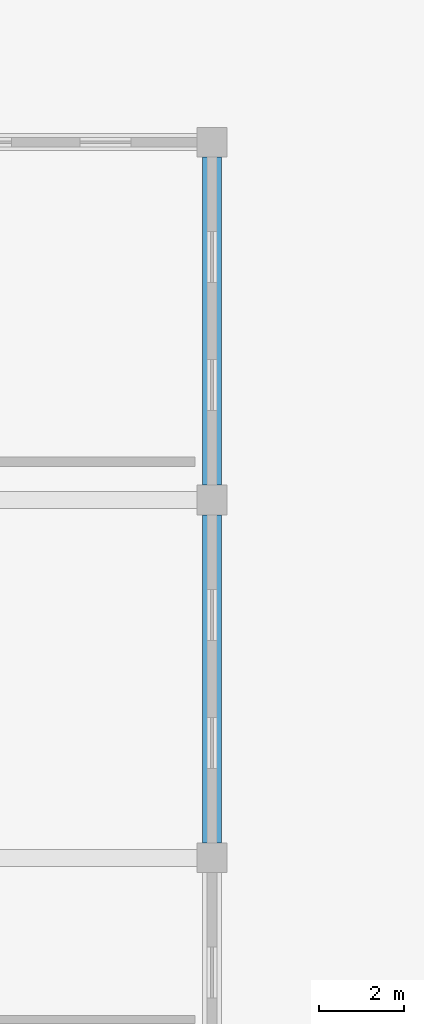
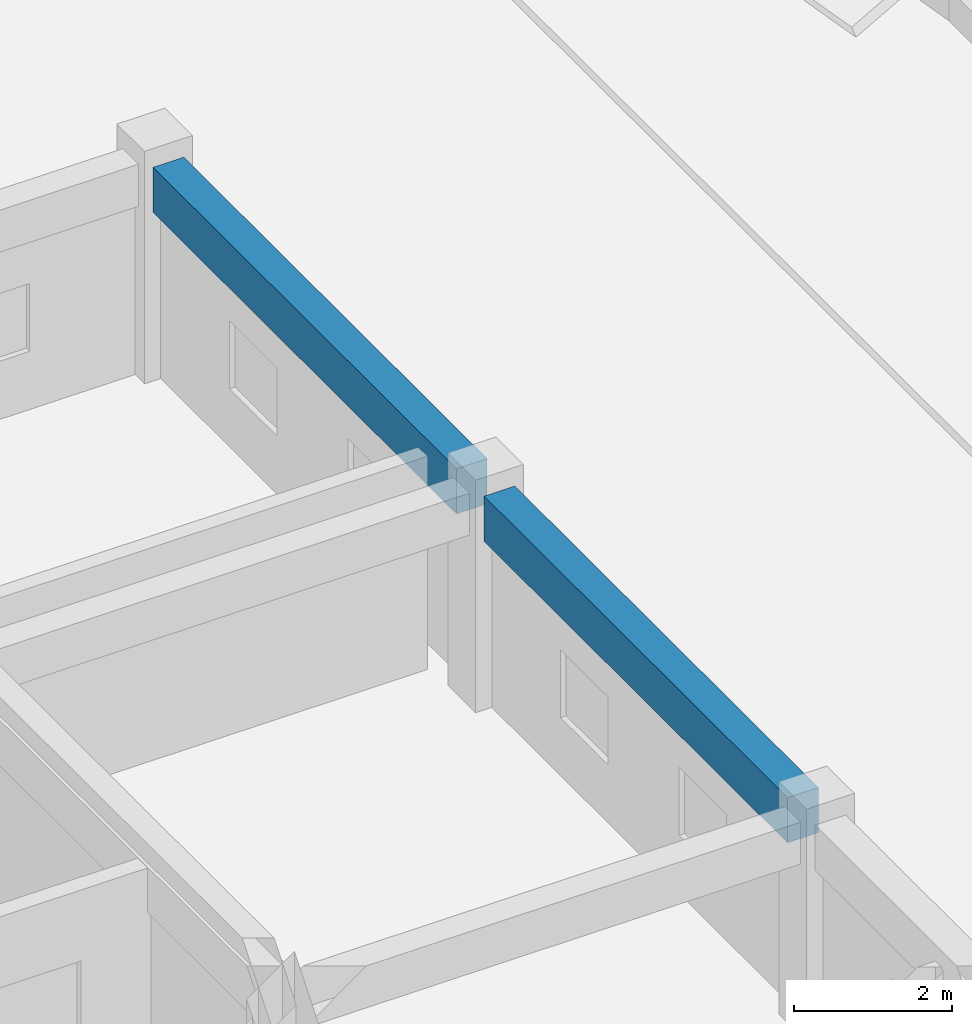
# One storey, part 68 of 101: 2 beams.
"""IFC4 building model written with IfcOpenShell, lengths in metres."""

from ifc_helpers import new_model, si_unit, direction, frame, origin, origin_2d, place, context, subcontext, project, spatial, rectangle, extrude, material, material_profile, profile_set, type_object, element, save


model = new_model("IFC4")

# Units and contexts
model_context = context("Model", 3, precision=1e-05, world=origin(), true_north=direction((0.0, 1.0)))
body_context = subcontext(model_context, "Body", "Model", "MODEL_VIEW")
ifc_project = project(units=[si_unit("LENGTHUNIT", "METRE"), si_unit("AREAUNIT", "SQUARE_METRE"), si_unit("VOLUMEUNIT", "CUBIC_METRE"), si_unit("PLANEANGLEUNIT", "RADIAN"), si_unit("MASSUNIT", "GRAM", prefix="KILO")], contexts=[model_context])

# Site, building, storey
site_placement = place(None, origin())
site = spatial("IfcSite", under=ifc_project, at=site_placement, CompositionType="ELEMENT")
building_placement = place(site_placement, origin())
building = spatial("IfcBuilding", under=site, at=building_placement, Name="Zizhar Promenade General Hospital", CompositionType="ELEMENT")
storey_placement = place(building_placement, frame((0.0, 0.0, 14.39990234375)))
storey = spatial("IfcBuildingStorey", under=building, at=storey_placement, Name="L03", CompositionType="ELEMENT", Elevation=14.39990234375)

# Beams
ifc_material = material(Name="Concrete C35/45", Category="concrete")
ifc_material_profile = material_profile(ifc_material, rectangle(XDim=0.449951171875, YDim=0.699951171875, at=origin_2d()))
ifc_profile_set = profile_set([ifc_material_profile], Name="Concrete C35/45")
beam_type = type_object("IfcBeamType", Name="BM-RC-450x700", PredefinedType="BEAM", material=ifc_profile_set)
for number, where, z_axis, x_axis, name in (
    (1, (124.800048828125, 109.550048828125, 2.960205078125), (0.0, 1.0, 0.0), (-1.0, 0.0, 0.0), "Grid Beam Y L03 (16-13)"),
    (2, (124.800048828125, 117.949951171875, 2.960205078125), (0.0, 1.0, 0.0), (-1.0, 0.0, 0.0), "Grid Beam Y L03 (16-14)"),
):
    element("IfcBeam", number, at=place(storey_placement, frame(where, z_axis=z_axis, x_axis=x_axis)), inside=storey, type_object=beam_type, Name=name, PredefinedType="BEAM", context=body_context, shape_type="SweptSolid", body=[
        extrude(rectangle(XDim=0.449951171875, YDim=0.699951171875, at=origin_2d()), origin(), (0.0, 0.0, 1.0), 7.699951171875),
    ])

save(model, "model.ifc")
